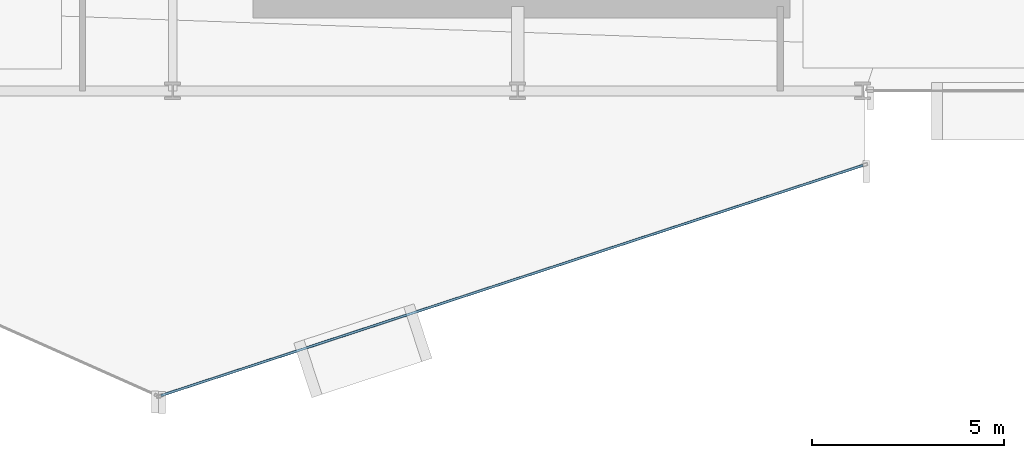
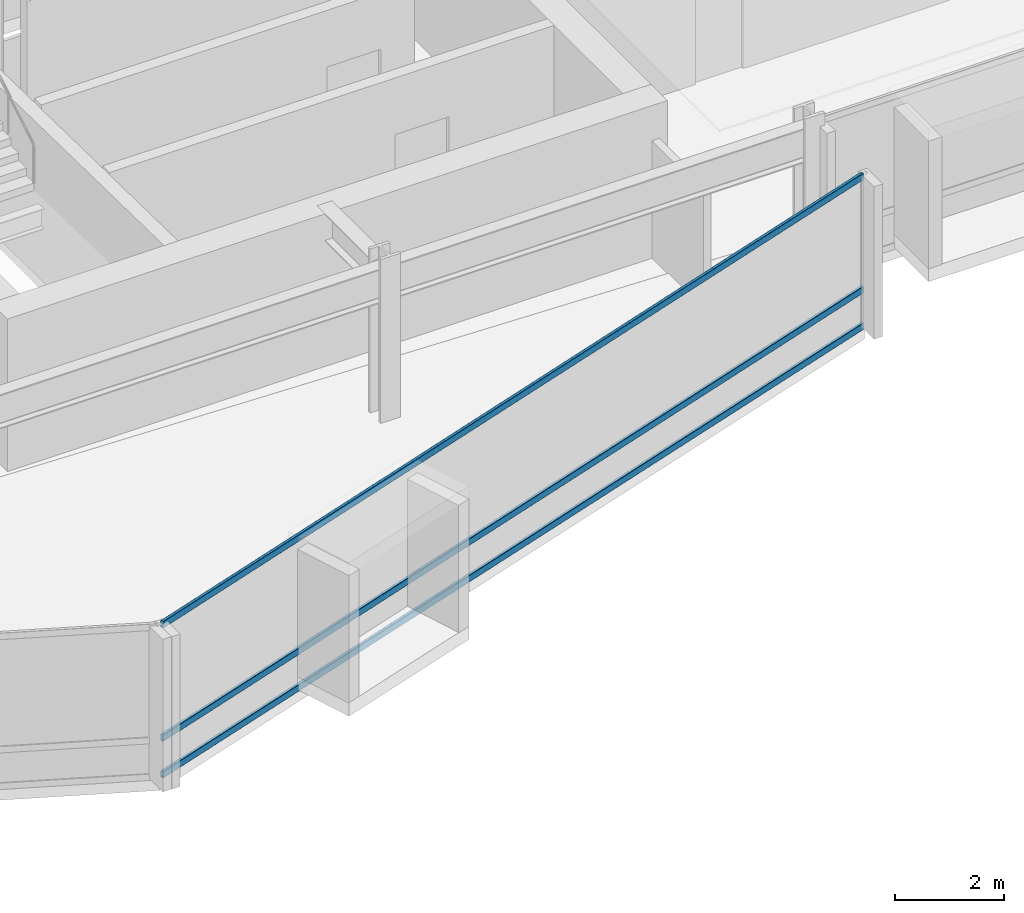
# One storey, part 9 of 28: 3 members, 1 element without a shape of its own.
"""IFC4 building model written with IfcOpenShell, lengths in metres."""

from ifc_helpers import new_model, si_unit, direction, frame, origin, origin_2d, place, context, subcontext, project, spatial, hollow_rectangle, extrude, material, layer, layer_set, material_profile, profile_set, type_object, element, aggregate, save


model = new_model("IFC4")

# Units and contexts
model_context = context("Model", 3, precision=1e-05, world=origin(), true_north=direction((0.0, 1.0)))
body_context = subcontext(model_context, "Body", "Model", "MODEL_VIEW")
ifc_project = project(units=[si_unit("LENGTHUNIT", "METRE"), si_unit("AREAUNIT", "SQUARE_METRE"), si_unit("VOLUMEUNIT", "CUBIC_METRE"), si_unit("PLANEANGLEUNIT", "RADIAN"), si_unit("MASSUNIT", "GRAM", prefix="KILO")], contexts=[model_context])

# Site, building, storey
site_placement = place(None, origin())
site = spatial("IfcSite", under=ifc_project, at=site_placement, CompositionType="ELEMENT")
building_placement = place(site_placement, origin())
building = spatial("IfcBuilding", under=site, at=building_placement, Name="Solvaryn Broadcast Tower", CompositionType="ELEMENT")
storey_placement = place(building_placement, frame((0.0, 0.0, 110.0)))
storey = spatial("IfcBuildingStorey", under=building, at=storey_placement, Name="L26", CompositionType="ELEMENT", Elevation=110.0)

# Curtain wall, members
ifc_material_1 = material(Name="Aluminium and Terracotta Unitised Curtain Wall", Category="masonry")
ifc_layer = layer(ifc_material_1, 0.199951171875)
ifc_layer_set = layer_set([ifc_layer], Name="CW-SYS2-LOWMID")
curtain_wall_type = type_object("IfcCurtainWallType", Name="CW-SYS2-LOWMID", PredefinedType="NOTDEFINED", material=ifc_layer_set)
curtain_wall_placement = place(storey_placement, origin())
curtain_wall = element("IfcCurtainWall", 1, at=curtain_wall_placement, inside=storey, type_object=curtain_wall_type, Name="L26 Curtain Wall DR4", PredefinedType="NOTDEFINED")
ifc_material_2 = material(Name="Anodised Aluminium 6063-T6", Category="aluminium")
ifc_material_profile = material_profile(ifc_material_2, hollow_rectangle(XDim=0.06494140625, YDim=0.14990234375, WallThickness=0.00390625, InnerFilletRadius=0.00390625, OuterFilletRadius=0.008056640625, at=origin_2d()))
ifc_profile_set = profile_set([ifc_material_profile], Name="Anodised Aluminium 6063-T6")
member_type = type_object("IfcMemberType", Name="CW-TRN-150", PredefinedType="USERDEFINED", material=ifc_profile_set)
member_1_placement = place(storey_placement, frame((26.693115234375, 1.052734375, 0.030029296875), z_axis=(0.950198373323, 0.31164571445, 0.0), x_axis=(-0.31164571445, 0.950198373323, 0.0)))
member_1 = element("IfcMember", 2, at=member_1_placement, type_object=member_type, Name="CWS2 transom 1.1", ObjectType="TRANSOM", PredefinedType="USERDEFINED", context=body_context, shape_type="SweptSolid", body=[
    extrude(hollow_rectangle(XDim=0.06494140625, YDim=0.14990234375, WallThickness=0.00390625, InnerFilletRadius=0.00390625, OuterFilletRadius=0.008056640625, at=origin_2d()), origin(), (0.0, 0.0, 1.0), 19.27685546875),
])
member_2_placement = place(storey_placement, frame((26.693115234375, 1.052734375, 0.85009765625), z_axis=(0.950198373323, 0.31164571445, 0.0), x_axis=(-0.31164571445, 0.950198373323, 0.0)))
member_2 = element("IfcMember", 3, at=member_2_placement, type_object=member_type, Name="CWS2 transom 1.2", ObjectType="TRANSOM", PredefinedType="USERDEFINED", context=body_context, shape_type="SweptSolid", body=[
    extrude(hollow_rectangle(XDim=0.06494140625, YDim=0.14990234375, WallThickness=0.00390625, InnerFilletRadius=0.00390625, OuterFilletRadius=0.008056640625, at=origin_2d()), origin(), (0.0, 0.0, 1.0), 19.27685546875),
])
member_3_placement = place(storey_placement, frame((26.693115234375, 1.052734375, 3.389892578125), z_axis=(0.950198373323, 0.31164571445, 0.0), x_axis=(-0.31164571445, 0.950198373323, 0.0)))
member_3 = element("IfcMember", 4, at=member_3_placement, type_object=member_type, Name="CWS2 transom 1.3", ObjectType="TRANSOM", PredefinedType="USERDEFINED", context=body_context, shape_type="SweptSolid", body=[
    extrude(hollow_rectangle(XDim=0.06494140625, YDim=0.14990234375, WallThickness=0.00390625, InnerFilletRadius=0.00390625, OuterFilletRadius=0.008056640625, at=origin_2d()), origin(), (0.0, 0.0, 1.0), 19.27685546875),
])
aggregate(curtain_wall, [member_1, member_2, member_3])

save(model, "model.ifc")
